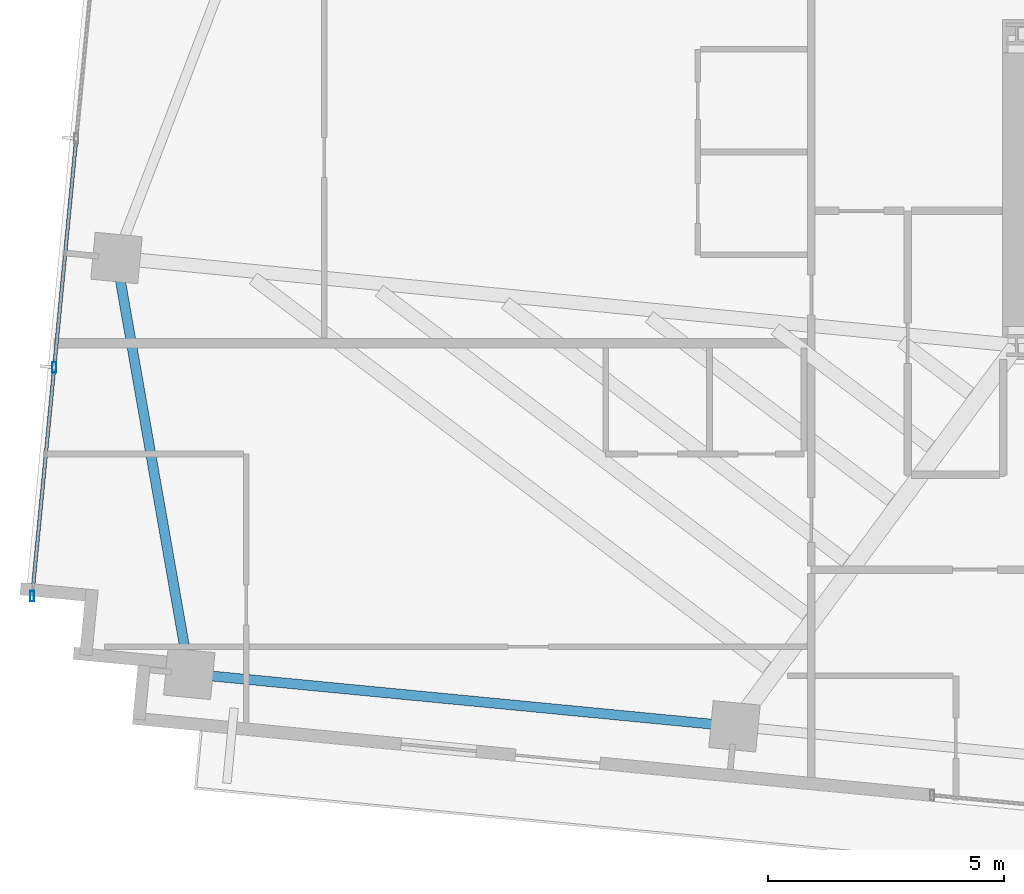
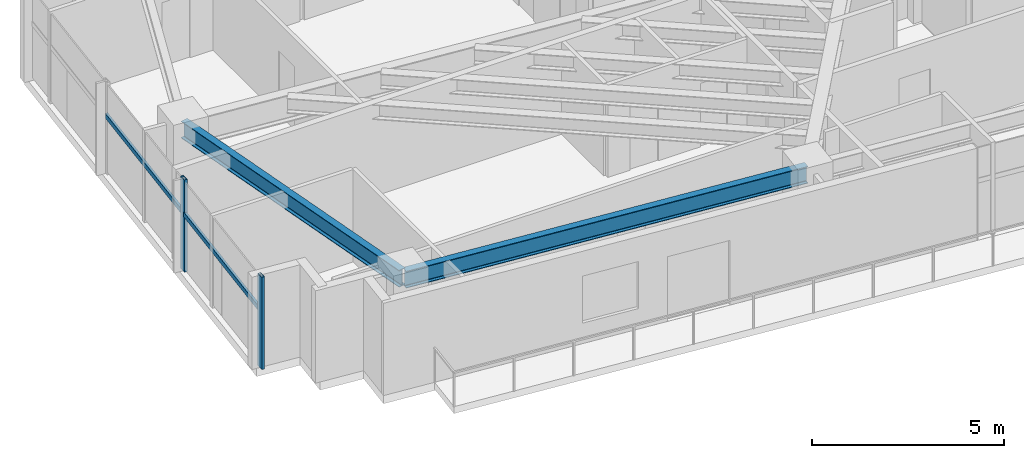
# One storey, part 2 of 20: 4 members, 2 beams, 1 element without a shape of its own.
"""IFC4 building model written with IfcOpenShell, lengths in metres."""

import ifcopenshell
import ifcopenshell.guid

model = None  # the IFC model being written
_history = None  # IfcOwnerHistory: only IFC2X3 demands one
_inside = {}  # id of a spatial element -> (the spatial element, [elements in it])
_under = {}  # id of a project, library or spatial element -> (it, [spatial elements below it])
_declared = {}  # id of a project -> (the project, [libraries it declares])
_typed = {}  # id of a type object -> (the type object, [elements of that type])
_made_of = {}  # id of a material, layer set ... -> (it, [elements and type objects made of it])


def new_model(schema):
    """Start an empty IFC model of exactly this schema.

    Asked for "IFC4X3", IfcOpenShell would pick the latest addendum, in which some entities
    have other attributes; the version numbers below select the first issue.
    IFC2X3 requires an IfcOwnerHistory on every rooted entity: one is made here for all.
    """
    global model, _history
    if schema == "IFC4X3":
        model = ifcopenshell.file(schema_version=(4, 3, 0, 0))
    else:
        model = ifcopenshell.file(schema=schema)
    _inside.clear()
    _under.clear()
    _declared.clear()
    _typed.clear()
    _made_of.clear()
    _history = None
    if model.schema == "IFC2X3":
        org = make("IfcOrganization", Name="unknown")
        user = make(
            "IfcPersonAndOrganization",
            ThePerson=make("IfcPerson", FamilyName="unknown"),
            TheOrganization=org,
        )
        app = make(
            "IfcApplication",
            ApplicationDeveloper=org,
            Version="unknown",
            ApplicationFullName="unknown",
            ApplicationIdentifier="unknown",
        )
        _history = make(
            "IfcOwnerHistory",
            OwningUser=user,
            OwningApplication=app,
            ChangeAction="ADDED",
            CreationDate=0,
        )
    return model


def make(cls, **values):
    """One entity of the class cls with the attributes given. An attribute that is None is left unset."""
    return model.create_entity(
        cls, **{name: value for name, value in values.items() if value is not None}
    )


def rooted(cls, **values):
    """An entity with a GlobalId (a new one), such as an element, a storey or a relation."""
    return make(cls, GlobalId=ifcopenshell.guid.new(), OwnerHistory=_history, **values)


def si_unit(unit_type, name, prefix=None):
    """IfcSIUnit, for example si_unit("LENGTHUNIT", "METRE", prefix="MILLI")."""
    return make("IfcSIUnit", UnitType=unit_type, Prefix=prefix, Name=name)


def assignment(units):
    """IfcUnitAssignment: the units of a project."""
    return None if units is None else make("IfcUnitAssignment", Units=units)


def point(xyz):
    """IfcCartesianPoint."""
    return None if xyz is None else make("IfcCartesianPoint", Coordinates=xyz)


def direction(xyz):
    """IfcDirection."""
    return None if xyz is None else make("IfcDirection", DirectionRatios=xyz)


def frame(location, z_axis=None, x_axis=None):
    """IfcAxis2Placement3D, a coordinate frame: its origin and axes. An axis left out is left unset."""
    return make(
        "IfcAxis2Placement3D",
        Location=point(location),
        Axis=direction(z_axis),
        RefDirection=direction(x_axis),
    )


def frame_2d(location, x_axis=None):
    """IfcAxis2Placement2D, a coordinate frame in the plane: its origin and x axis."""
    return make(
        "IfcAxis2Placement2D", Location=point(location), RefDirection=direction(x_axis)
    )


def origin():
    """The frame at (0, 0, 0) with its axes left unset."""
    return frame((0.0, 0.0, 0.0))


def origin_2d():
    """The frame at (0, 0) in the plane with its x axis left unset."""
    return frame_2d((0.0, 0.0))


def place(relative_to, where):
    """IfcLocalPlacement: puts the frame where relative to a parent placement (None: the world)."""
    return make(
        "IfcLocalPlacement", PlacementRelTo=relative_to, RelativePlacement=where
    )


def context(
    kind, dimensions, precision=None, world=None, true_north=None, identifier=None
):
    """IfcGeometricRepresentationContext, for example the 3D "Model" context."""
    return make(
        "IfcGeometricRepresentationContext",
        ContextIdentifier=identifier,
        ContextType=kind,
        CoordinateSpaceDimension=dimensions,
        Precision=precision,
        WorldCoordinateSystem=world,
        TrueNorth=true_north,
    )


def subcontext(parent, identifier, kind, view, scale=None):
    """IfcGeometricRepresentationSubContext, for example "Body" below "Model"."""
    return make(
        "IfcGeometricRepresentationSubContext",
        ContextIdentifier=identifier,
        ContextType=kind,
        ParentContext=parent,
        TargetScale=scale,
        TargetView=view,
    )


def project(units=None, contexts=None):
    """IfcProject with its units and contexts."""
    return rooted(
        "IfcProject",
        Name="project",
        RepresentationContexts=contexts,
        UnitsInContext=assignment(units),
    )


def spatial(cls, under=None, at=None, **own):
    """A site, building, storey or space (cls), placed at a placement, below another one or the project."""
    s = rooted(cls, ObjectPlacement=at, **own)
    if under is not None:
        _under.setdefault(under.id(), (under, []))[1].append(s)
    return s


def profile(cls, at=None, kind="AREA", **sizes):
    """A parametric profile (cls). Its sizes go by their IFC names, for example OverallWidth=200.0."""
    return make(cls, ProfileType=kind, Position=at, **sizes)


def hollow_rectangle(**sizes):
    """IfcRectangleHollowProfileDef."""
    return profile("IfcRectangleHollowProfileDef", **sizes)


def i_section(**sizes):
    """IfcIShapeProfileDef."""
    return profile("IfcIShapeProfileDef", **sizes)


def extrude(swept, where, along, depth):
    """IfcExtrudedAreaSolid: the profile swept, set in the frame where, extruded along a direction by depth."""
    return make(
        "IfcExtrudedAreaSolid",
        SweptArea=swept,
        Position=where,
        ExtrudedDirection=direction(along),
        Depth=depth,
    )


def shape(context_of_items, identifier, shape_type, items):
    """IfcShapeRepresentation: the items that make up one representation, for example the "Body"."""
    return make(
        "IfcShapeRepresentation",
        ContextOfItems=context_of_items,
        RepresentationIdentifier=identifier,
        RepresentationType=shape_type,
        Items=items,
    )


def source(mapping_origin, context_of_items, identifier, shape_type, items):
    """IfcRepresentationMap: a shape defined once, which mapped items show again and again."""
    return make(
        "IfcRepresentationMap",
        MappingOrigin=mapping_origin,
        MappedRepresentation=shape(context_of_items, identifier, shape_type, items),
    )


def transform(
    local_origin,
    x_axis=None,
    y_axis=None,
    z_axis=None,
    scale=None,
    scale2=None,
    scale3=None,
    uniform=True,
):
    """IfcCartesianTransformationOperator3D, or its non-uniform kind. x_axis, y_axis, z_axis: its Axis1, 2, 3."""
    if uniform:
        return make(
            "IfcCartesianTransformationOperator3D",
            Axis1=direction(x_axis),
            Axis2=direction(y_axis),
            LocalOrigin=point(local_origin),
            Scale=scale,
            Axis3=direction(z_axis),
        )
    return make(
        "IfcCartesianTransformationOperator3DnonUniform",
        Axis1=direction(x_axis),
        Axis2=direction(y_axis),
        LocalOrigin=point(local_origin),
        Scale=scale,
        Axis3=direction(z_axis),
        Scale2=scale2,
        Scale3=scale3,
    )


def mapped(mapping_source, mapping_target):
    """IfcMappedItem: shows the shape of a source again, moved by a transform."""
    return make(
        "IfcMappedItem", MappingSource=mapping_source, MappingTarget=mapping_target
    )


def material(Name=None, Category=None):
    """IfcMaterial."""
    return make("IfcMaterial", Name=Name, Category=Category)


def material_profile(
    of_material, cross_section, Name=None, Category=None, Priority=None
):
    """IfcMaterialProfile: a cross section and its material."""
    return make(
        "IfcMaterialProfile",
        Name=Name,
        Material=of_material,
        Profile=cross_section,
        Priority=Priority,
        Category=Category,
    )


def profile_set(profiles, Name=None, composite=None):
    """IfcMaterialProfileSet."""
    return make(
        "IfcMaterialProfileSet",
        Name=Name,
        MaterialProfiles=profiles,
        CompositeProfile=composite,
    )


def made_of(thing, what):
    """Note that an element or type object is made of a material, layer set ...; save() writes the relation."""
    if what is not None:
        _made_of.setdefault(what.id(), (what, []))[1].append(thing)
    return thing


def type_object(cls, material=None, **own):
    """A type object (cls), such as IfcWallType, which elements share."""
    return made_of(rooted(cls, **own), material)


def type_shapes(of_type, sources):
    """Give a type object the sources (RepresentationMaps) that its elements show as mapped items."""
    of_type.RepresentationMaps = sources


def element(
    cls,
    number,
    at=None,
    inside=None,
    cuts=None,
    type_object=None,
    material=None,
    context=None,
    identifier="Body",
    shape_type=None,
    held_by="IfcProductDefinitionShape",
    body=None,
    shapes=None,
    **own,
):
    """One element of the class cls, such as IfcWall. Its Tag is "e" and its number.

    at: its placement. inside: the storey or other place that contains it. cuts: it is an
    opening in that element (IfcRelVoidsElement). A single representation is given by context,
    identifier, shape_type and body (its items); several are given by shapes. held_by: the class
    of the entity that holds the representations. save() writes the other relations.
    """
    e = rooted(cls, Tag="e%d" % number, ObjectPlacement=at, **own)
    if body is not None:
        shapes = [shape(context, identifier, shape_type, body)]
    if shapes is not None:
        e.Representation = make(held_by, Representations=shapes)
    if inside is not None:
        _inside.setdefault(inside.id(), (inside, []))[1].append(e)
    if cuts is not None:
        rooted(
            "IfcRelVoidsElement", RelatingBuildingElement=cuts, RelatedOpeningElement=e
        )
    if type_object is not None:
        _typed.setdefault(type_object.id(), (type_object, []))[1].append(e)
    return made_of(e, material)


def aggregate(whole, parts):
    """IfcRelAggregates: a whole, such as a stair, and the parts it consists of."""
    return rooted("IfcRelAggregates", RelatingObject=whole, RelatedObjects=parts)


def save(model, path):
    """Write the relations noted so far, then the file.

    IfcRelAggregates (storeys below a building ...), IfcRelContainedInSpatialStructure (elements
    in a storey), IfcRelDefinesByType, IfcRelAssociatesMaterial and IfcRelDeclares: one each for
    every whole, place, type object, material and project.
    """
    for whole, parts in _under.values():
        aggregate(whole, parts)
    for where, things in _inside.values():
        rooted(
            "IfcRelContainedInSpatialStructure",
            RelatedElements=things,
            RelatingStructure=where,
        )
    for kind, things in _typed.values():
        rooted("IfcRelDefinesByType", RelatedObjects=things, RelatingType=kind)
    for what, things in _made_of.values():
        rooted("IfcRelAssociatesMaterial", RelatedObjects=things, RelatingMaterial=what)
    for by, libraries in _declared.values():
        rooted("IfcRelDeclares", RelatingContext=by, RelatedDefinitions=libraries)
    model.write(path)


model = new_model("IFC4")

# Units and contexts
model_context = context("Model", 3, precision=1e-05, world=origin(), true_north=direction((0.0, 1.0)))
body_context = subcontext(model_context, "Body", "Model", "MODEL_VIEW")
ifc_project = project(units=[si_unit("LENGTHUNIT", "METRE"), si_unit("AREAUNIT", "SQUARE_METRE"), si_unit("VOLUMEUNIT", "CUBIC_METRE"), si_unit("PLANEANGLEUNIT", "RADIAN"), si_unit("MASSUNIT", "GRAM", prefix="KILO")], contexts=[model_context])

# Site, building, storey
site_placement = place(None, origin())
site = spatial("IfcSite", under=ifc_project, at=site_placement, CompositionType="ELEMENT")
building_placement = place(site_placement, origin())
building = spatial("IfcBuilding", under=site, at=building_placement, Name="Astriad Promenade Condominiums", CompositionType="ELEMENT")
storey_placement = place(building_placement, frame((0.0, 0.0, 134.199951171875)))
storey = spatial("IfcBuildingStorey", under=building, at=storey_placement, Name="L38", CompositionType="ELEMENT", Elevation=134.199951171875)

# Beams
ifc_material_1 = material(Name="Steel ASTM A992 Grade 50", Category="steel")
ifc_material_profile_1 = material_profile(ifc_material_1, i_section(OverallWidth=0.210693359375, OverallDepth=0.53955078125, WebThickness=0.01171875, FlangeThickness=0.018798828125, FilletRadius=0.0166015625, at=origin_2d()), Name="W21X73")
ifc_profile_set_1 = profile_set([ifc_material_profile_1], Name="Steel ASTM A992 Grade 50")
beam_type = type_object("IfcBeamType", Name="STEEL SPANDREL BEAM W21X73", PredefinedType="SPANDREL", material=ifc_profile_set_1)
shared_shape_1 = source(origin(), body_context, "Body", "SweptSolid", [
    extrude(i_section(OverallWidth=0.210693359375, OverallDepth=0.53955078125, WebThickness=0.01171875, FlangeThickness=0.018798828125, FilletRadius=0.0166015625, at=origin_2d()), origin(), (0.0, 0.0, 1.0), 11.52001953125),
])
beam_1_placement = place(storey_placement, frame((8.92041015625, 10.439453125, 2.670166015625), z_axis=(0.9953953902, -0.095854145285, 0.0), x_axis=(0.095854145285, 0.9953953902, 0.0)))
element("IfcBeam", 1, at=beam_1_placement, inside=storey, type_object=beam_type, Name="Perimeter Spandrel Beam SP-S1-L38", PredefinedType="SPANDREL", context=body_context, shape_type="MappedRepresentation", body=[
    mapped(shared_shape_1, transform((0.0, 0.0, 0.0), scale=1.0)),
])
shared_shape_2 = source(origin(), body_context, "Body", "SweptSolid", [
    extrude(i_section(OverallWidth=0.210693359375, OverallDepth=0.53955078125, WebThickness=0.01171875, FlangeThickness=0.018798828125, FilletRadius=0.0166015625, at=origin_2d()), origin(), (0.0, 0.0, 1.0), 8.862548828125),
])
type_shapes(beam_type, [shared_shape_1, shared_shape_2])
beam_2_placement = place(storey_placement, frame((7.3447265625, 19.21240234375, 2.670166015625), z_axis=(0.172528005434, -0.985004612853, 0.0), x_axis=(0.985004612853, 0.172528005434, 0.0)))
element("IfcBeam", 2, at=beam_2_placement, inside=storey, type_object=beam_type, Name="Perimeter Spandrel Beam SP-W1-L38", PredefinedType="SPANDREL", context=body_context, shape_type="MappedRepresentation", body=[
    mapped(shared_shape_2, transform((0.0, 0.0, 0.0), scale=1.0)),
])

# Curtain wall, members
ifc_material_2 = material(Name="Anodised aluminium Black Dark Glass Unitised", Category="aluminium")
curtain_wall_type = type_object("IfcCurtainWallType", Name="CW-B34-DARK", PredefinedType="USERDEFINED", material=ifc_material_2)
curtain_wall_placement = place(storey_placement, origin())
curtain_wall = element("IfcCurtainWall", 3, at=curtain_wall_placement, inside=storey, type_object=curtain_wall_type, Name="CW-L38-W", ObjectType="UNITISED_CURTAIN_WALL", PredefinedType="USERDEFINED")
ifc_material_3 = material(Name="Anodised aluminium 6063-T6 Black", Category="aluminium")
ifc_material_profile_2 = material_profile(ifc_material_3, hollow_rectangle(XDim=0.0849609375, YDim=0.219970703125, WallThickness=0.0048828125, at=origin_2d()), Name="ALU-MUL-85X220")
ifc_profile_set_2 = profile_set([ifc_material_profile_2], Name="Anodised aluminium 6063-T6 Black")
member_type_1 = type_object("IfcMemberType", Name="MUL-ALU-MUL-85X220", PredefinedType="MULLION", material=ifc_profile_set_2)
shared_shape_3 = source(origin(), body_context, "Body", "SweptSolid", [
    extrude(hollow_rectangle(XDim=0.0849609375, YDim=0.219970703125, WallThickness=0.0048828125, at=origin_2d()), origin(), (0.0, 0.0, 1.0), 2.93994140625),
])
type_shapes(member_type_1, [shared_shape_3])
member_1_placement = place(storey_placement, frame((5.552978515625, 12.08984375, 0.0), z_axis=(0.0, 0.0, 1.0), x_axis=(1.0, 0.0, 0.0)))
member_1 = element("IfcMember", 4, at=member_1_placement, type_object=member_type_1, Name="CW-L38-W-MUL-00", PredefinedType="MULLION", context=body_context, shape_type="MappedRepresentation", body=[
    mapped(shared_shape_3, transform((0.0, 0.0, 0.0), scale=1.0)),
])
member_2_placement = place(storey_placement, frame((6.01953125, 16.93408203125, 0.0), z_axis=(0.0, 0.0, 1.0), x_axis=(1.0, 0.0, 0.0)))
member_2 = element("IfcMember", 5, at=member_2_placement, type_object=member_type_1, Name="CW-L38-W-MUL-01", PredefinedType="MULLION", context=body_context, shape_type="MappedRepresentation", body=[
    mapped(shared_shape_3, transform((0.0, 0.0, 0.0), scale=1.0)),
])
ifc_material_profile_3 = material_profile(ifc_material_3, hollow_rectangle(XDim=0.074951171875, YDim=0.14990234375, WallThickness=0.004150390625, at=origin_2d()), Name="ALU-TRN-75X150")
ifc_profile_set_3 = profile_set([ifc_material_profile_3], Name="Anodised aluminium 6063-T6 Black")
member_type_2 = type_object("IfcMemberType", Name="TRN-ALU-TRN-75X150", PredefinedType="USERDEFINED", material=ifc_profile_set_3)
shared_shape_4 = source(origin(), body_context, "Body", "SweptSolid", [
    extrude(hollow_rectangle(XDim=0.074951171875, YDim=0.14990234375, WallThickness=0.004150390625, at=origin_2d()), origin(), (0.0, 0.0, 1.0), 4.86669921875),
])
type_shapes(member_type_2, [shared_shape_4])
member_3_placement = place(storey_placement, frame((5.552978515625, 12.08984375, 1.82275390625), z_axis=(0.095867260207, 0.995394127178, 0.0), x_axis=(-0.995394127178, 0.095867260207, 0.0)))
member_3 = element("IfcMember", 6, at=member_3_placement, type_object=member_type_2, Name="CW-L38-W-TRN-00-0", ObjectType="TRANSOM", PredefinedType="USERDEFINED", context=body_context, shape_type="MappedRepresentation", body=[
    mapped(shared_shape_4, transform((0.0, 0.0, 0.0), scale=1.0)),
])
member_4_placement = place(storey_placement, frame((6.01953125, 16.93408203125, 1.82275390625), z_axis=(0.095867260207, 0.995394127178, 0.0), x_axis=(-0.995394127178, 0.095867260207, 0.0)))
member_4 = element("IfcMember", 7, at=member_4_placement, type_object=member_type_2, Name="CW-L38-W-TRN-01-0", ObjectType="TRANSOM", PredefinedType="USERDEFINED", context=body_context, shape_type="MappedRepresentation", body=[
    mapped(shared_shape_4, transform((0.0, 0.0, 0.0), scale=1.0)),
])
aggregate(curtain_wall, [member_1, member_2, member_3, member_4])

save(model, "model.ifc")
